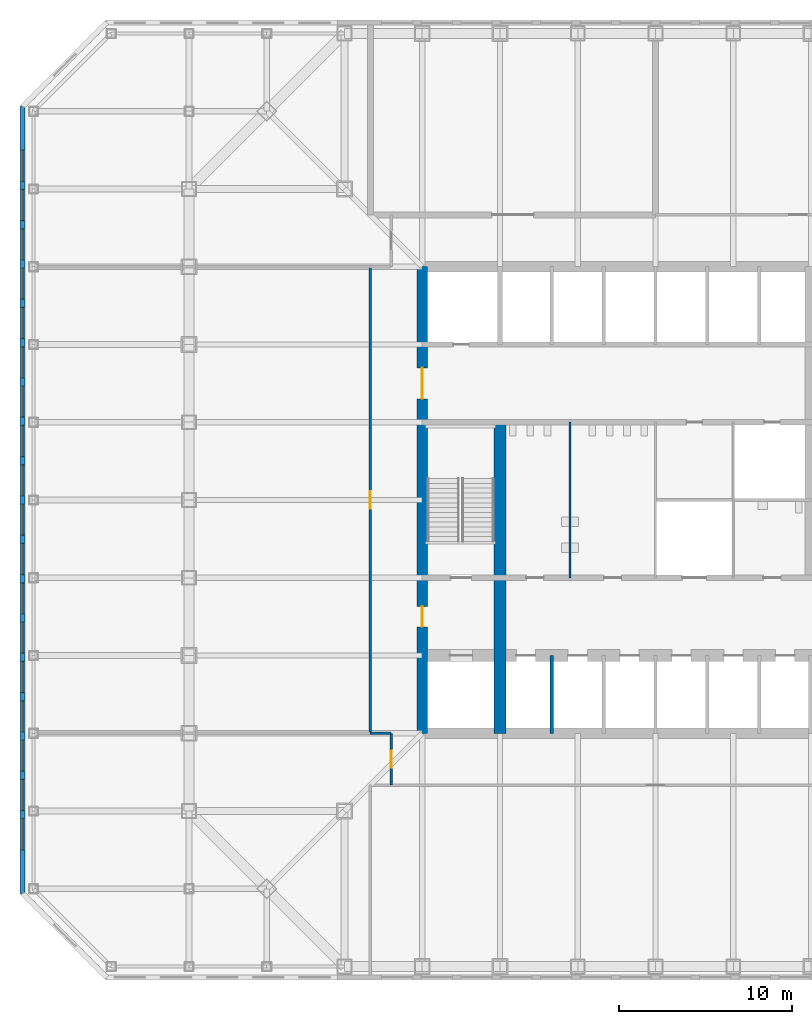
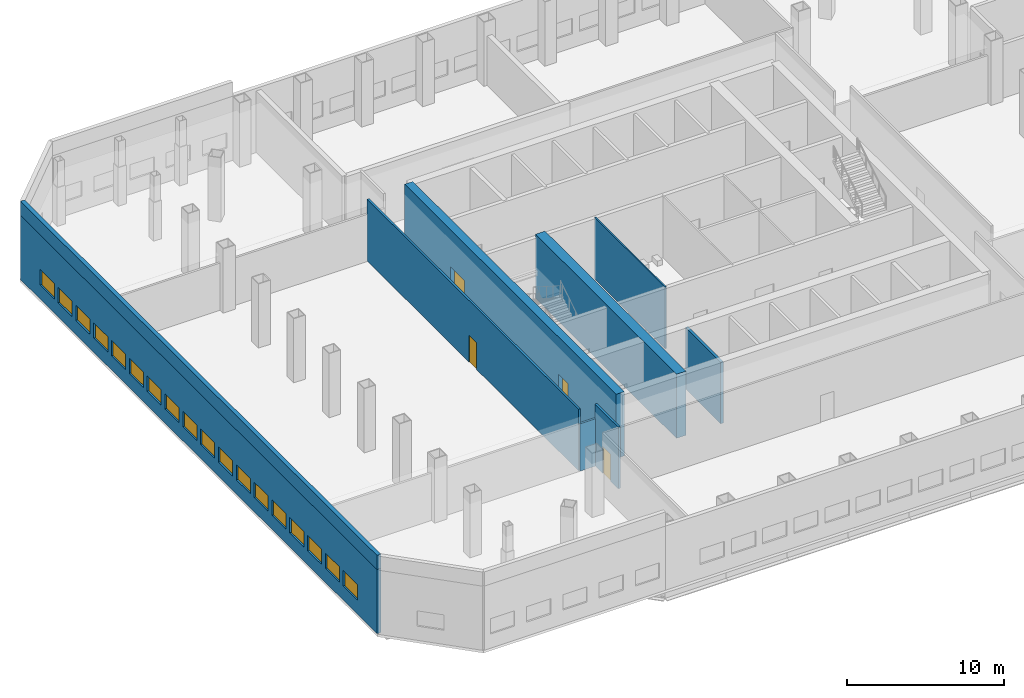
# One storey, part 6 of 14: 18 windows, 9 walls, 4 doors, 22 openings.
"""IFC4 building model written with IfcOpenShell, lengths in metres."""

from ifc_helpers import new_model, si_unit, direction, frame, frame_2d, origin, place, context, subcontext, project, spatial, rectangle, extrude, material, layer, layer_set, type_object, element, fill, save


model = new_model("IFC4")

# Units and contexts
model_context = context("Model", 3, precision=1e-05, world=origin(), true_north=direction((0.0, 1.0)))
body_context = subcontext(model_context, "Body", "Model", "MODEL_VIEW")
ifc_project = project(units=[si_unit("LENGTHUNIT", "METRE"), si_unit("AREAUNIT", "SQUARE_METRE"), si_unit("VOLUMEUNIT", "CUBIC_METRE"), si_unit("PLANEANGLEUNIT", "RADIAN"), si_unit("MASSUNIT", "GRAM", prefix="KILO")], contexts=[model_context])

# Site, building, storey
site_placement = place(None, origin())
site = spatial("IfcSite", under=ifc_project, at=site_placement, CompositionType="ELEMENT")
building_placement = place(site_placement, origin())
building = spatial("IfcBuilding", under=site, at=building_placement, Name="Corais Broadcast Tower", CompositionType="ELEMENT")
storey_placement = place(building_placement, frame((0.0, 0.0, 18.0)))
storey = spatial("IfcBuildingStorey", under=building, at=storey_placement, Name="L03", CompositionType="ELEMENT", Elevation=18.0)

# Wall
ifc_material_1 = material(Name="Concrete C50/60", Category="concrete")
ifc_layer_1 = layer(ifc_material_1, 0.699951171875)
ifc_layer_set_1 = layer_set([ifc_layer_1], Name="Concrete C50/60")
wall_type_1 = type_object("IfcWallType", Name="Core spine wall 700", PredefinedType="SHEAR", material=ifc_layer_set_1)
wall_1_placement = place(storey_placement, frame((18.0, 13.5, 0.0), z_axis=(0.0, 0.0, 1.0), x_axis=(0.0, 1.0, 0.0)))
element("IfcWall", 1, at=wall_1_placement, inside=storey, type_object=wall_type_1, Name="CR700 core wall X18A L03", PredefinedType="SHEAR", context=body_context, shape_type="SweptSolid", body=[
    extrude(rectangle(XDim=18.0, YDim=0.699951171875, at=frame_2d((9.0, 0.0))), origin(), (0.0, 0.0, 1.0), 5.0),
])

# Wall, openings, doors
ifc_material_2 = material(Name="Concrete C50/60", Category="concrete")
ifc_layer_2 = layer(ifc_material_2, 0.60009765625)
ifc_layer_set_2 = layer_set([ifc_layer_2], Name="Concrete C50/60")
wall_type_2 = type_object("IfcWallType", Name="Core wall 600", PredefinedType="SHEAR", material=ifc_layer_set_2)
wall_2_placement = place(storey_placement, frame((13.5, 40.5, 0.0), z_axis=(0.0, 0.0, 1.0), x_axis=(0.0, -1.0, 0.0)))
wall_2 = element("IfcWall", 2, at=wall_2_placement, inside=storey, type_object=wall_type_2, Name="CR600 core wall W L03", PredefinedType="SHEAR", context=body_context, shape_type="SweptSolid", body=[
    extrude(rectangle(XDim=27.0, YDim=0.60009765625, at=frame_2d((13.5, 0.0))), origin(), (0.0, 0.0, 1.0), 5.0),
])
opening_1_placement = place(wall_2_placement, frame((19.64990234375, 0.0, 0.0)))
opening_1 = element("IfcOpeningElement", 3, at=opening_1_placement, cuts=wall_2, Name="Opening FD1", PredefinedType="OPENING", context=body_context, shape_type="SweptSolid", body=[
    extrude(rectangle(XDim=1.199951171875, YDim=2.10009765625, at=frame_2d((0.60009765625, 1.050048828125))), frame((0.0, 0.31005859375, 0.0), z_axis=(0.0, -1.0, 0.0), x_axis=(1.0, 0.0, 0.0)), (0.0, 0.0, 1.0), 0.6201171875),
])
opening_2_placement = place(wall_2_placement, frame((5.85009765625, 0.0, 0.0)))
opening_2 = element("IfcOpeningElement", 4, at=opening_2_placement, cuts=wall_2, Name="Opening FD2", PredefinedType="OPENING", context=body_context, shape_type="SweptSolid", body=[
    extrude(rectangle(XDim=1.800048828125, YDim=2.10009765625, at=frame_2d((0.89990234375, 1.050048828125))), frame((0.0, 0.31005859375, 0.0), z_axis=(0.0, -1.0, 0.0), x_axis=(1.0, 0.0, 0.0)), (0.0, 0.0, 1.0), 0.6201171875),
])
ifc_material_3 = material(Name="Steel fire door", Category="steel")
door_type_1 = type_object("IfcDoorType", Name="Fire door 1200x2100", OperationType="SINGLE_SWING_LEFT", PredefinedType="DOOR", material=ifc_material_3)
door_1_placement = place(opening_1_placement, origin())
door_1 = element("IfcDoor", 5, at=door_1_placement, inside=storey, type_object=door_type_1, Name="FD1 fire lobby A door L03", OperationType="SINGLE_SWING_RIGHT", OverallHeight=2.10009765625, OverallWidth=1.199951171875, PredefinedType="DOOR", context=body_context, shape_type="SweptSolid", body=[
    extrude(rectangle(XDim=1.199951171875, YDim=2.10009765625, at=frame_2d((0.60009765625, 1.050048828125))), frame((0.0, 0.02490234375, 0.0), z_axis=(0.0, -1.0, 0.0), x_axis=(1.0, 0.0, 0.0)), (0.0, 0.0, 1.0), 0.050048828125),
])
fill(opening_1, door_1)
ifc_material_4 = material(Name="Steel fire door", Category="steel")
door_type_2 = type_object("IfcDoorType", Name="Fire door pair 1800x2100", OperationType="DOUBLE_DOOR_SINGLE_SWING", PredefinedType="DOOR", material=ifc_material_4)
door_2_placement = place(opening_2_placement, origin())
door_2 = element("IfcDoor", 6, at=door_2_placement, inside=storey, type_object=door_type_2, Name="FD2 lift lobby door L03", OperationType="SINGLE_SWING_LEFT", OverallHeight=2.10009765625, OverallWidth=1.800048828125, PredefinedType="DOOR", context=body_context, shape_type="SweptSolid", body=[
    extrude(rectangle(XDim=1.800048828125, YDim=2.10009765625, at=frame_2d((0.89990234375, 1.050048828125))), frame((0.0, 0.02490234375, 0.0), z_axis=(0.0, -1.0, 0.0), x_axis=(1.0, 0.0, 0.0)), (0.0, 0.0, 1.0), 0.050048828125),
])
fill(opening_2, door_2)

# Wall
ifc_material_5 = material(Name="Precast concrete C40/50", Category="concrete")
ifc_layer_3 = layer(ifc_material_5, 0.300048828125)
ifc_layer_set_3 = layer_set([ifc_layer_3], Name="Precast concrete C40/50")
wall_type_3 = type_object("IfcWallType", Name="Parapet wall 300", PredefinedType="PARAPET", material=ifc_layer_set_3)
wall_3_placement = place(storey_placement, frame((-9.6298828125, 4.239013671875, 5.0), z_axis=(0.0, 0.0, 1.0), x_axis=(0.0, 1.0, 0.0)))
element("IfcWall", 7, at=wall_3_placement, inside=storey, type_object=wall_type_3, Name="PW1 parapet L03", PredefinedType="PARAPET", context=body_context, shape_type="SweptSolid", body=[
    extrude(rectangle(XDim=45.52197265625, YDim=0.300048828125, at=frame_2d((22.760986328125, 0.0))), origin(), (0.0, 0.0, 1.0), 1.10009765625),
])

# Wall, opening, door
ifc_material_6 = material(Name="Gypsum board on steel studs", Category="steel")
ifc_layer_4 = layer(ifc_material_6, 0.14990234375)
ifc_layer_set_4 = layer_set([ifc_layer_4], Name="Gypsum board on steel studs")
wall_type_4 = type_object("IfcWallType", Name="Partition 150", PredefinedType="PARTITIONING", material=ifc_layer_set_4)
wall_4_placement = place(storey_placement, frame((11.699951171875, 13.5, 0.0), z_axis=(0.0, 0.0, 1.0), x_axis=(0.0, -1.0, 0.0)))
wall_4 = element("IfcWall", 8, at=wall_4_placement, inside=storey, type_object=wall_type_4, Name="IW3 corridor wall L03", PredefinedType="PARTITIONING", context=body_context, shape_type="SweptSolid", body=[
    extrude(rectangle(XDim=3.0, YDim=0.14990234375, at=frame_2d((1.5, 0.0))), origin(), (0.0, 0.0, 1.0), 4.800048828125),
])
opening_3_placement = place(wall_4_placement, frame((1.0, 0.0, 0.0)))
opening_3 = element("IfcOpeningElement", 9, at=opening_3_placement, cuts=wall_4, Name="Opening D1", PredefinedType="OPENING", context=body_context, shape_type="SweptSolid", body=[
    extrude(rectangle(XDim=1.0, YDim=2.10009765625, at=frame_2d((0.5, 1.050048828125))), frame((0.0, 0.0849609375, 0.0), z_axis=(0.0, -1.0, 0.0), x_axis=(1.0, 0.0, 0.0)), (0.0, 0.0, 1.0), 0.169921875),
])
ifc_material_7 = material(Name="Timber door", Category="wood")
door_type_3 = type_object("IfcDoorType", Name="Single door 1000x2100", OperationType="SINGLE_SWING_LEFT", PredefinedType="DOOR", material=ifc_material_7)
door_3_placement = place(opening_3_placement, origin())
door_3 = element("IfcDoor", 10, at=door_3_placement, inside=storey, type_object=door_type_3, Name="D1 workplace door L03", OperationType="SINGLE_SWING_LEFT", OverallHeight=2.10009765625, OverallWidth=1.0, PredefinedType="DOOR", context=body_context, shape_type="SweptSolid", body=[
    extrude(rectangle(XDim=1.0, YDim=2.10009765625, at=frame_2d((0.5, 1.050048828125))), frame((0.0, 0.02490234375, 0.0), z_axis=(0.0, -1.0, 0.0), x_axis=(1.0, 0.0, 0.0)), (0.0, 0.0, 1.0), 0.050048828125),
])
fill(opening_3, door_3)

# Wall
wall_5_placement = place(storey_placement, frame((10.489990234375, 13.5, 0.0), z_axis=(0.0, 0.0, 1.0), x_axis=(1.0, 0.0, 0.0)))
element("IfcWall", 11, at=wall_5_placement, inside=storey, type_object=wall_type_4, Name="IW3 corridor wall L03", PredefinedType="PARTITIONING", context=body_context, shape_type="SweptSolid", body=[
    extrude(rectangle(XDim=1.2099609375, YDim=0.14990234375, at=frame_2d((0.60498046875, 0.0))), origin(), (0.0, 0.0, 1.0), 3.681884765625),
])

# Wall, opening, door
wall_6_placement = place(storey_placement, frame((10.5, 13.5, 0.0), z_axis=(0.0, 0.0, 1.0), x_axis=(0.0, 1.0, 0.0)))
wall_6 = element("IfcWall", 12, at=wall_6_placement, inside=storey, type_object=wall_type_4, Name="IW3 partition L03", PredefinedType="PARTITIONING", context=body_context, shape_type="SweptSolid", body=[
    extrude(rectangle(XDim=27.0, YDim=0.14990234375, at=frame_2d((13.5, 0.0))), origin(), (0.0, 0.0, 1.0), 4.800048828125),
])
opening_4_placement = place(wall_6_placement, frame((13.0, 0.0, 0.0)))
opening_4 = element("IfcOpeningElement", 13, at=opening_4_placement, cuts=wall_6, Name="Opening D1", PredefinedType="OPENING", context=body_context, shape_type="SweptSolid", body=[
    extrude(rectangle(XDim=1.0, YDim=2.10009765625, at=frame_2d((0.5, 1.050048828125))), frame((0.0, 0.0849609375, 0.0), z_axis=(0.0, -1.0, 0.0), x_axis=(1.0, 0.0, 0.0)), (0.0, 0.0, 1.0), 0.169921875),
])
door_4_placement = place(opening_4_placement, origin())
door_4 = element("IfcDoor", 14, at=door_4_placement, inside=storey, type_object=door_type_3, Name="D1 Edit suites door", OperationType="SINGLE_SWING_LEFT", OverallHeight=2.10009765625, OverallWidth=1.0, PredefinedType="DOOR", context=body_context, shape_type="SweptSolid", body=[
    extrude(rectangle(XDim=1.0, YDim=2.10009765625, at=frame_2d((0.5, 1.050048828125))), frame((0.0, 0.02490234375, 0.0), z_axis=(0.0, -1.0, 0.0), x_axis=(1.0, 0.0, 0.0)), (0.0, 0.0, 1.0), 0.050048828125),
])
fill(opening_4, door_4)

# Wall
ifc_material_8 = material(Name="Concrete blockwork class A, grouted, two-hour", Category="masonry")
ifc_layer_5 = layer(ifc_material_8, 0.199951171875)
ifc_layer_set_5 = layer_set([ifc_layer_5], Name="Concrete blockwork class A, grouted, two-hour")
wall_type_5 = type_object("IfcWallType", Name="Shaft wall 200", PredefinedType="PARTITIONING", material=ifc_layer_set_5)
wall_7_placement = place(storey_placement, frame((21.0, 13.5, 0.0), z_axis=(0.0, 0.0, 1.0), x_axis=(0.0, 1.0, 0.0)))
element("IfcWall", 15, at=wall_7_placement, inside=storey, type_object=wall_type_5, Name="IW1 shaft wall L03", PredefinedType="PARTITIONING", context=body_context, shape_type="SweptSolid", body=[
    extrude(rectangle(XDim=4.5, YDim=0.199951171875, at=frame_2d((2.25, 0.0))), origin(), (0.0, 0.0, 1.0), 4.800048828125),
])

# Wall, openings, windows
ifc_material_9 = material(Name="Precast concrete C40/50", Category="concrete")
ifc_layer_6 = layer(ifc_material_9, 0.300048828125)
ifc_layer_set_6 = layer_set([ifc_layer_6], Name="Precast concrete C40/50")
wall_type_6 = type_object("IfcWallType", Name="Stone-faced precast wall 300", PredefinedType="SOLIDWALL", material=ifc_layer_set_6)
wall_8_placement = place(storey_placement, frame((-9.6298828125, 4.239013671875, 0.0), z_axis=(0.0, 0.0, 1.0), x_axis=(0.0, 1.0, 0.0)))
wall_8 = element("IfcWall", 16, at=wall_8_placement, inside=storey, type_object=wall_type_6, Name="EW1 external wall L03 2", PredefinedType="SOLIDWALL", context=body_context, shape_type="SweptSolid", body=[
    extrude(rectangle(XDim=45.52197265625, YDim=0.300048828125, at=frame_2d((22.760986328125, 0.0))), origin(), (0.0, 0.0, 1.0), 5.0),
])
opening_5_placement = place(wall_8_placement, frame((2.51416015625, 0.0, 1.10009765625)))
opening_5 = element("IfcOpeningElement", 17, at=opening_5_placement, cuts=wall_8, Name="Opening W1", PredefinedType="OPENING", context=body_context, shape_type="SweptSolid", body=[
    extrude(rectangle(XDim=1.800048828125, YDim=1.199951171875, at=frame_2d((0.89990234375, 0.60009765625))), frame((0.0, 0.159912109375, 0.0), z_axis=(0.0, -1.0, 0.0), x_axis=(1.0, 0.0, 0.0)), (0.0, 0.0, 1.0), 0.320068359375),
])
opening_6_placement = place(wall_8_placement, frame((4.790283203125, 0.0, 1.10009765625)))
opening_6 = element("IfcOpeningElement", 18, at=opening_6_placement, cuts=wall_8, Name="Opening W1", PredefinedType="OPENING", context=body_context, shape_type="SweptSolid", body=[
    extrude(rectangle(XDim=1.800048828125, YDim=1.199951171875, at=frame_2d((0.89990234375, 0.60009765625))), frame((0.0, 0.159912109375, 0.0), z_axis=(0.0, -1.0, 0.0), x_axis=(1.0, 0.0, 0.0)), (0.0, 0.0, 1.0), 0.320068359375),
])
opening_7_placement = place(wall_8_placement, frame((7.06640625, 0.0, 1.10009765625)))
opening_7 = element("IfcOpeningElement", 19, at=opening_7_placement, cuts=wall_8, Name="Opening W1", PredefinedType="OPENING", context=body_context, shape_type="SweptSolid", body=[
    extrude(rectangle(XDim=1.800048828125, YDim=1.199951171875, at=frame_2d((0.89990234375, 0.60009765625))), frame((0.0, 0.159912109375, 0.0), z_axis=(0.0, -1.0, 0.0), x_axis=(1.0, 0.0, 0.0)), (0.0, 0.0, 1.0), 0.320068359375),
])
opening_8_placement = place(wall_8_placement, frame((9.342529296875, 0.0, 1.10009765625)))
opening_8 = element("IfcOpeningElement", 20, at=opening_8_placement, cuts=wall_8, Name="Opening W1", PredefinedType="OPENING", context=body_context, shape_type="SweptSolid", body=[
    extrude(rectangle(XDim=1.800048828125, YDim=1.199951171875, at=frame_2d((0.89990234375, 0.60009765625))), frame((0.0, 0.159912109375, 0.0), z_axis=(0.0, -1.0, 0.0), x_axis=(1.0, 0.0, 0.0)), (0.0, 0.0, 1.0), 0.320068359375),
])
opening_9_placement = place(wall_8_placement, frame((11.61865234375, 0.0, 1.10009765625)))
opening_9 = element("IfcOpeningElement", 21, at=opening_9_placement, cuts=wall_8, Name="Opening W1", PredefinedType="OPENING", context=body_context, shape_type="SweptSolid", body=[
    extrude(rectangle(XDim=1.800048828125, YDim=1.199951171875, at=frame_2d((0.89990234375, 0.60009765625))), frame((0.0, 0.159912109375, 0.0), z_axis=(0.0, -1.0, 0.0), x_axis=(1.0, 0.0, 0.0)), (0.0, 0.0, 1.0), 0.320068359375),
])
opening_10_placement = place(wall_8_placement, frame((13.89453125, 0.0, 1.10009765625)))
opening_10 = element("IfcOpeningElement", 22, at=opening_10_placement, cuts=wall_8, Name="Opening W1", PredefinedType="OPENING", context=body_context, shape_type="SweptSolid", body=[
    extrude(rectangle(XDim=1.800048828125, YDim=1.199951171875, at=frame_2d((0.89990234375, 0.60009765625))), frame((0.0, 0.159912109375, 0.0), z_axis=(0.0, -1.0, 0.0), x_axis=(1.0, 0.0, 0.0)), (0.0, 0.0, 1.0), 0.320068359375),
])
opening_11_placement = place(wall_8_placement, frame((16.170654296875, 0.0, 1.10009765625)))
opening_11 = element("IfcOpeningElement", 23, at=opening_11_placement, cuts=wall_8, Name="Opening W1", PredefinedType="OPENING", context=body_context, shape_type="SweptSolid", body=[
    extrude(rectangle(XDim=1.800048828125, YDim=1.199951171875, at=frame_2d((0.89990234375, 0.60009765625))), frame((0.0, 0.159912109375, 0.0), z_axis=(0.0, -1.0, 0.0), x_axis=(1.0, 0.0, 0.0)), (0.0, 0.0, 1.0), 0.320068359375),
])
opening_12_placement = place(wall_8_placement, frame((18.44677734375, 0.0, 1.10009765625)))
opening_12 = element("IfcOpeningElement", 24, at=opening_12_placement, cuts=wall_8, Name="Opening W1", PredefinedType="OPENING", context=body_context, shape_type="SweptSolid", body=[
    extrude(rectangle(XDim=1.800048828125, YDim=1.199951171875, at=frame_2d((0.89990234375, 0.60009765625))), frame((0.0, 0.159912109375, 0.0), z_axis=(0.0, -1.0, 0.0), x_axis=(1.0, 0.0, 0.0)), (0.0, 0.0, 1.0), 0.320068359375),
])
opening_13_placement = place(wall_8_placement, frame((20.722900390625, 0.0, 1.10009765625)))
opening_13 = element("IfcOpeningElement", 25, at=opening_13_placement, cuts=wall_8, Name="Opening W1", PredefinedType="OPENING", context=body_context, shape_type="SweptSolid", body=[
    extrude(rectangle(XDim=1.800048828125, YDim=1.199951171875, at=frame_2d((0.89990234375, 0.60009765625))), frame((0.0, 0.159912109375, 0.0), z_axis=(0.0, -1.0, 0.0), x_axis=(1.0, 0.0, 0.0)), (0.0, 0.0, 1.0), 0.320068359375),
])
opening_14_placement = place(wall_8_placement, frame((22.9990234375, 0.0, 1.10009765625)))
opening_14 = element("IfcOpeningElement", 26, at=opening_14_placement, cuts=wall_8, Name="Opening W1", PredefinedType="OPENING", context=body_context, shape_type="SweptSolid", body=[
    extrude(rectangle(XDim=1.800048828125, YDim=1.199951171875, at=frame_2d((0.89990234375, 0.60009765625))), frame((0.0, 0.159912109375, 0.0), z_axis=(0.0, -1.0, 0.0), x_axis=(1.0, 0.0, 0.0)), (0.0, 0.0, 1.0), 0.320068359375),
])
opening_15_placement = place(wall_8_placement, frame((25.275146484375, 0.0, 1.10009765625)))
opening_15 = element("IfcOpeningElement", 27, at=opening_15_placement, cuts=wall_8, Name="Opening W1", PredefinedType="OPENING", context=body_context, shape_type="SweptSolid", body=[
    extrude(rectangle(XDim=1.800048828125, YDim=1.199951171875, at=frame_2d((0.89990234375, 0.60009765625))), frame((0.0, 0.159912109375, 0.0), z_axis=(0.0, -1.0, 0.0), x_axis=(1.0, 0.0, 0.0)), (0.0, 0.0, 1.0), 0.320068359375),
])
opening_16_placement = place(wall_8_placement, frame((27.55126953125, 0.0, 1.10009765625)))
opening_16 = element("IfcOpeningElement", 28, at=opening_16_placement, cuts=wall_8, Name="Opening W1", PredefinedType="OPENING", context=body_context, shape_type="SweptSolid", body=[
    extrude(rectangle(XDim=1.800048828125, YDim=1.199951171875, at=frame_2d((0.89990234375, 0.60009765625))), frame((0.0, 0.159912109375, 0.0), z_axis=(0.0, -1.0, 0.0), x_axis=(1.0, 0.0, 0.0)), (0.0, 0.0, 1.0), 0.320068359375),
])
opening_17_placement = place(wall_8_placement, frame((29.827392578125, 0.0, 1.10009765625)))
opening_17 = element("IfcOpeningElement", 29, at=opening_17_placement, cuts=wall_8, Name="Opening W1", PredefinedType="OPENING", context=body_context, shape_type="SweptSolid", body=[
    extrude(rectangle(XDim=1.800048828125, YDim=1.199951171875, at=frame_2d((0.89990234375, 0.60009765625))), frame((0.0, 0.159912109375, 0.0), z_axis=(0.0, -1.0, 0.0), x_axis=(1.0, 0.0, 0.0)), (0.0, 0.0, 1.0), 0.320068359375),
])
opening_18_placement = place(wall_8_placement, frame((32.103515625, 0.0, 1.10009765625)))
opening_18 = element("IfcOpeningElement", 30, at=opening_18_placement, cuts=wall_8, Name="Opening W1", PredefinedType="OPENING", context=body_context, shape_type="SweptSolid", body=[
    extrude(rectangle(XDim=1.800048828125, YDim=1.199951171875, at=frame_2d((0.89990234375, 0.60009765625))), frame((0.0, 0.159912109375, 0.0), z_axis=(0.0, -1.0, 0.0), x_axis=(1.0, 0.0, 0.0)), (0.0, 0.0, 1.0), 0.320068359375),
])
opening_19_placement = place(wall_8_placement, frame((34.379638671875, 0.0, 1.10009765625)))
opening_19 = element("IfcOpeningElement", 31, at=opening_19_placement, cuts=wall_8, Name="Opening W1", PredefinedType="OPENING", context=body_context, shape_type="SweptSolid", body=[
    extrude(rectangle(XDim=1.800048828125, YDim=1.199951171875, at=frame_2d((0.89990234375, 0.60009765625))), frame((0.0, 0.159912109375, 0.0), z_axis=(0.0, -1.0, 0.0), x_axis=(1.0, 0.0, 0.0)), (0.0, 0.0, 1.0), 0.320068359375),
])
opening_20_placement = place(wall_8_placement, frame((36.65576171875, 0.0, 1.10009765625)))
opening_20 = element("IfcOpeningElement", 32, at=opening_20_placement, cuts=wall_8, Name="Opening W1", PredefinedType="OPENING", context=body_context, shape_type="SweptSolid", body=[
    extrude(rectangle(XDim=1.800048828125, YDim=1.199951171875, at=frame_2d((0.89990234375, 0.60009765625))), frame((0.0, 0.159912109375, 0.0), z_axis=(0.0, -1.0, 0.0), x_axis=(1.0, 0.0, 0.0)), (0.0, 0.0, 1.0), 0.320068359375),
])
opening_21_placement = place(wall_8_placement, frame((38.931640625, 0.0, 1.10009765625)))
opening_21 = element("IfcOpeningElement", 33, at=opening_21_placement, cuts=wall_8, Name="Opening W1", PredefinedType="OPENING", context=body_context, shape_type="SweptSolid", body=[
    extrude(rectangle(XDim=1.800048828125, YDim=1.199951171875, at=frame_2d((0.89990234375, 0.60009765625))), frame((0.0, 0.159912109375, 0.0), z_axis=(0.0, -1.0, 0.0), x_axis=(1.0, 0.0, 0.0)), (0.0, 0.0, 1.0), 0.320068359375),
])
opening_22_placement = place(wall_8_placement, frame((41.207763671875, 0.0, 1.10009765625)))
opening_22 = element("IfcOpeningElement", 34, at=opening_22_placement, cuts=wall_8, Name="Opening W1", PredefinedType="OPENING", context=body_context, shape_type="SweptSolid", body=[
    extrude(rectangle(XDim=1.800048828125, YDim=1.199951171875, at=frame_2d((0.89990234375, 0.60009765625))), frame((0.0, 0.159912109375, 0.0), z_axis=(0.0, -1.0, 0.0), x_axis=(1.0, 0.0, 0.0)), (0.0, 0.0, 1.0), 0.320068359375),
])
ifc_material_10 = material(Name="Aluminium frame", Category="aluminium")
window_type = type_object("IfcWindowType", Name="Fixed window 1800x1200", PartitioningType="SINGLE_PANEL", PredefinedType="WINDOW", material=ifc_material_10)
window_1_placement = place(opening_5_placement, origin())
window_1 = element("IfcWindow", 35, at=window_1_placement, inside=storey, type_object=window_type, Name="W1 window L03", OverallHeight=1.199951171875, OverallWidth=1.800048828125, PartitioningType="SINGLE_PANEL", PredefinedType="WINDOW", context=body_context, shape_type="SweptSolid", body=[
    extrude(rectangle(XDim=1.800048828125, YDim=1.199951171875, at=frame_2d((0.89990234375, 0.60009765625))), frame((0.0, 0.030029296875, 0.0), z_axis=(0.0, -1.0, 0.0), x_axis=(1.0, 0.0, 0.0)), (0.0, 0.0, 1.0), 0.06005859375),
])
fill(opening_5, window_1)
window_2_placement = place(opening_6_placement, origin())
window_2 = element("IfcWindow", 36, at=window_2_placement, inside=storey, type_object=window_type, Name="W1 window L03", OverallHeight=1.199951171875, OverallWidth=1.800048828125, PartitioningType="SINGLE_PANEL", PredefinedType="WINDOW", context=body_context, shape_type="SweptSolid", body=[
    extrude(rectangle(XDim=1.800048828125, YDim=1.199951171875, at=frame_2d((0.89990234375, 0.60009765625))), frame((0.0, 0.030029296875, 0.0), z_axis=(0.0, -1.0, 0.0), x_axis=(1.0, 0.0, 0.0)), (0.0, 0.0, 1.0), 0.06005859375),
])
fill(opening_6, window_2)
window_3_placement = place(opening_7_placement, origin())
window_3 = element("IfcWindow", 37, at=window_3_placement, inside=storey, type_object=window_type, Name="W1 window L03", OverallHeight=1.199951171875, OverallWidth=1.800048828125, PartitioningType="SINGLE_PANEL", PredefinedType="WINDOW", context=body_context, shape_type="SweptSolid", body=[
    extrude(rectangle(XDim=1.800048828125, YDim=1.199951171875, at=frame_2d((0.89990234375, 0.60009765625))), frame((0.0, 0.030029296875, 0.0), z_axis=(0.0, -1.0, 0.0), x_axis=(1.0, 0.0, 0.0)), (0.0, 0.0, 1.0), 0.06005859375),
])
fill(opening_7, window_3)
window_4_placement = place(opening_8_placement, origin())
window_4 = element("IfcWindow", 38, at=window_4_placement, inside=storey, type_object=window_type, Name="W1 window L03", OverallHeight=1.199951171875, OverallWidth=1.800048828125, PartitioningType="SINGLE_PANEL", PredefinedType="WINDOW", context=body_context, shape_type="SweptSolid", body=[
    extrude(rectangle(XDim=1.800048828125, YDim=1.199951171875, at=frame_2d((0.89990234375, 0.60009765625))), frame((0.0, 0.030029296875, 0.0), z_axis=(0.0, -1.0, 0.0), x_axis=(1.0, 0.0, 0.0)), (0.0, 0.0, 1.0), 0.06005859375),
])
fill(opening_8, window_4)
window_5_placement = place(opening_9_placement, origin())
window_5 = element("IfcWindow", 39, at=window_5_placement, inside=storey, type_object=window_type, Name="W1 window L03", OverallHeight=1.199951171875, OverallWidth=1.800048828125, PartitioningType="SINGLE_PANEL", PredefinedType="WINDOW", context=body_context, shape_type="SweptSolid", body=[
    extrude(rectangle(XDim=1.800048828125, YDim=1.199951171875, at=frame_2d((0.89990234375, 0.60009765625))), frame((0.0, 0.030029296875, 0.0), z_axis=(0.0, -1.0, 0.0), x_axis=(1.0, 0.0, 0.0)), (0.0, 0.0, 1.0), 0.06005859375),
])
fill(opening_9, window_5)
window_6_placement = place(opening_10_placement, origin())
window_6 = element("IfcWindow", 40, at=window_6_placement, inside=storey, type_object=window_type, Name="W1 window L03", OverallHeight=1.199951171875, OverallWidth=1.800048828125, PartitioningType="SINGLE_PANEL", PredefinedType="WINDOW", context=body_context, shape_type="SweptSolid", body=[
    extrude(rectangle(XDim=1.800048828125, YDim=1.199951171875, at=frame_2d((0.89990234375, 0.60009765625))), frame((0.0, 0.030029296875, 0.0), z_axis=(0.0, -1.0, 0.0), x_axis=(1.0, 0.0, 0.0)), (0.0, 0.0, 1.0), 0.06005859375),
])
fill(opening_10, window_6)
window_7_placement = place(opening_11_placement, origin())
window_7 = element("IfcWindow", 41, at=window_7_placement, inside=storey, type_object=window_type, Name="W1 window L03", OverallHeight=1.199951171875, OverallWidth=1.800048828125, PartitioningType="SINGLE_PANEL", PredefinedType="WINDOW", context=body_context, shape_type="SweptSolid", body=[
    extrude(rectangle(XDim=1.800048828125, YDim=1.199951171875, at=frame_2d((0.89990234375, 0.60009765625))), frame((0.0, 0.030029296875, 0.0), z_axis=(0.0, -1.0, 0.0), x_axis=(1.0, 0.0, 0.0)), (0.0, 0.0, 1.0), 0.06005859375),
])
fill(opening_11, window_7)
window_8_placement = place(opening_12_placement, origin())
window_8 = element("IfcWindow", 42, at=window_8_placement, inside=storey, type_object=window_type, Name="W1 window L03", OverallHeight=1.199951171875, OverallWidth=1.800048828125, PartitioningType="SINGLE_PANEL", PredefinedType="WINDOW", context=body_context, shape_type="SweptSolid", body=[
    extrude(rectangle(XDim=1.800048828125, YDim=1.199951171875, at=frame_2d((0.89990234375, 0.60009765625))), frame((0.0, 0.030029296875, 0.0), z_axis=(0.0, -1.0, 0.0), x_axis=(1.0, 0.0, 0.0)), (0.0, 0.0, 1.0), 0.06005859375),
])
fill(opening_12, window_8)
window_9_placement = place(opening_13_placement, origin())
window_9 = element("IfcWindow", 43, at=window_9_placement, inside=storey, type_object=window_type, Name="W1 window L03", OverallHeight=1.199951171875, OverallWidth=1.800048828125, PartitioningType="SINGLE_PANEL", PredefinedType="WINDOW", context=body_context, shape_type="SweptSolid", body=[
    extrude(rectangle(XDim=1.800048828125, YDim=1.199951171875, at=frame_2d((0.89990234375, 0.60009765625))), frame((0.0, 0.030029296875, 0.0), z_axis=(0.0, -1.0, 0.0), x_axis=(1.0, 0.0, 0.0)), (0.0, 0.0, 1.0), 0.06005859375),
])
fill(opening_13, window_9)
window_10_placement = place(opening_14_placement, origin())
window_10 = element("IfcWindow", 44, at=window_10_placement, inside=storey, type_object=window_type, Name="W1 window L03", OverallHeight=1.199951171875, OverallWidth=1.800048828125, PartitioningType="SINGLE_PANEL", PredefinedType="WINDOW", context=body_context, shape_type="SweptSolid", body=[
    extrude(rectangle(XDim=1.800048828125, YDim=1.199951171875, at=frame_2d((0.89990234375, 0.60009765625))), frame((0.0, 0.030029296875, 0.0), z_axis=(0.0, -1.0, 0.0), x_axis=(1.0, 0.0, 0.0)), (0.0, 0.0, 1.0), 0.06005859375),
])
fill(opening_14, window_10)
window_11_placement = place(opening_15_placement, origin())
window_11 = element("IfcWindow", 45, at=window_11_placement, inside=storey, type_object=window_type, Name="W1 window L03", OverallHeight=1.199951171875, OverallWidth=1.800048828125, PartitioningType="SINGLE_PANEL", PredefinedType="WINDOW", context=body_context, shape_type="SweptSolid", body=[
    extrude(rectangle(XDim=1.800048828125, YDim=1.199951171875, at=frame_2d((0.89990234375, 0.60009765625))), frame((0.0, 0.030029296875, 0.0), z_axis=(0.0, -1.0, 0.0), x_axis=(1.0, 0.0, 0.0)), (0.0, 0.0, 1.0), 0.06005859375),
])
fill(opening_15, window_11)
window_12_placement = place(opening_16_placement, origin())
window_12 = element("IfcWindow", 46, at=window_12_placement, inside=storey, type_object=window_type, Name="W1 window L03", OverallHeight=1.199951171875, OverallWidth=1.800048828125, PartitioningType="SINGLE_PANEL", PredefinedType="WINDOW", context=body_context, shape_type="SweptSolid", body=[
    extrude(rectangle(XDim=1.800048828125, YDim=1.199951171875, at=frame_2d((0.89990234375, 0.60009765625))), frame((0.0, 0.030029296875, 0.0), z_axis=(0.0, -1.0, 0.0), x_axis=(1.0, 0.0, 0.0)), (0.0, 0.0, 1.0), 0.06005859375),
])
fill(opening_16, window_12)
window_13_placement = place(opening_17_placement, origin())
window_13 = element("IfcWindow", 47, at=window_13_placement, inside=storey, type_object=window_type, Name="W1 window L03", OverallHeight=1.199951171875, OverallWidth=1.800048828125, PartitioningType="SINGLE_PANEL", PredefinedType="WINDOW", context=body_context, shape_type="SweptSolid", body=[
    extrude(rectangle(XDim=1.800048828125, YDim=1.199951171875, at=frame_2d((0.89990234375, 0.60009765625))), frame((0.0, 0.030029296875, 0.0), z_axis=(0.0, -1.0, 0.0), x_axis=(1.0, 0.0, 0.0)), (0.0, 0.0, 1.0), 0.06005859375),
])
fill(opening_17, window_13)
window_14_placement = place(opening_18_placement, origin())
window_14 = element("IfcWindow", 48, at=window_14_placement, inside=storey, type_object=window_type, Name="W1 window L03", OverallHeight=1.199951171875, OverallWidth=1.800048828125, PartitioningType="SINGLE_PANEL", PredefinedType="WINDOW", context=body_context, shape_type="SweptSolid", body=[
    extrude(rectangle(XDim=1.800048828125, YDim=1.199951171875, at=frame_2d((0.89990234375, 0.60009765625))), frame((0.0, 0.030029296875, 0.0), z_axis=(0.0, -1.0, 0.0), x_axis=(1.0, 0.0, 0.0)), (0.0, 0.0, 1.0), 0.06005859375),
])
fill(opening_18, window_14)
window_15_placement = place(opening_19_placement, origin())
window_15 = element("IfcWindow", 49, at=window_15_placement, inside=storey, type_object=window_type, Name="W1 window L03", OverallHeight=1.199951171875, OverallWidth=1.800048828125, PartitioningType="SINGLE_PANEL", PredefinedType="WINDOW", context=body_context, shape_type="SweptSolid", body=[
    extrude(rectangle(XDim=1.800048828125, YDim=1.199951171875, at=frame_2d((0.89990234375, 0.60009765625))), frame((0.0, 0.030029296875, 0.0), z_axis=(0.0, -1.0, 0.0), x_axis=(1.0, 0.0, 0.0)), (0.0, 0.0, 1.0), 0.06005859375),
])
fill(opening_19, window_15)
window_16_placement = place(opening_20_placement, origin())
window_16 = element("IfcWindow", 50, at=window_16_placement, inside=storey, type_object=window_type, Name="W1 window L03", OverallHeight=1.199951171875, OverallWidth=1.800048828125, PartitioningType="SINGLE_PANEL", PredefinedType="WINDOW", context=body_context, shape_type="SweptSolid", body=[
    extrude(rectangle(XDim=1.800048828125, YDim=1.199951171875, at=frame_2d((0.89990234375, 0.60009765625))), frame((0.0, 0.030029296875, 0.0), z_axis=(0.0, -1.0, 0.0), x_axis=(1.0, 0.0, 0.0)), (0.0, 0.0, 1.0), 0.06005859375),
])
fill(opening_20, window_16)
window_17_placement = place(opening_21_placement, origin())
window_17 = element("IfcWindow", 51, at=window_17_placement, inside=storey, type_object=window_type, Name="W1 window L03", OverallHeight=1.199951171875, OverallWidth=1.800048828125, PartitioningType="SINGLE_PANEL", PredefinedType="WINDOW", context=body_context, shape_type="SweptSolid", body=[
    extrude(rectangle(XDim=1.800048828125, YDim=1.199951171875, at=frame_2d((0.89990234375, 0.60009765625))), frame((0.0, 0.030029296875, 0.0), z_axis=(0.0, -1.0, 0.0), x_axis=(1.0, 0.0, 0.0)), (0.0, 0.0, 1.0), 0.06005859375),
])
fill(opening_21, window_17)
window_18_placement = place(opening_22_placement, origin())
window_18 = element("IfcWindow", 52, at=window_18_placement, inside=storey, type_object=window_type, Name="W1 window L03", OverallHeight=1.199951171875, OverallWidth=1.800048828125, PartitioningType="SINGLE_PANEL", PredefinedType="WINDOW", context=body_context, shape_type="SweptSolid", body=[
    extrude(rectangle(XDim=1.800048828125, YDim=1.199951171875, at=frame_2d((0.89990234375, 0.60009765625))), frame((0.0, 0.030029296875, 0.0), z_axis=(0.0, -1.0, 0.0), x_axis=(1.0, 0.0, 0.0)), (0.0, 0.0, 1.0), 0.06005859375),
])
fill(opening_22, window_18)

# Wall
ifc_material_11 = material(Name="Dense concrete blockwork class A, tiled both faces", Category="masonry")
ifc_layer_7 = layer(ifc_material_11, 0.10009765625)
ifc_layer_set_7 = layer_set([ifc_layer_7], Name="Dense concrete blockwork class A, tiled both faces")
wall_type_7 = type_object("IfcWallType", Name="Toilet wall 100", PredefinedType="PLUMBINGWALL", material=ifc_layer_set_7)
wall_9_placement = place(storey_placement, frame((22.050048828125, 22.5, 0.0), z_axis=(0.0, 0.0, 1.0), x_axis=(0.0, 1.0, 0.0)))
element("IfcWall", 53, at=wall_9_placement, inside=storey, type_object=wall_type_7, Name="IW2 toilet wall L03", PredefinedType="PLUMBINGWALL", context=body_context, shape_type="SweptSolid", body=[
    extrude(rectangle(XDim=9.0, YDim=0.10009765625, at=frame_2d((4.5, 0.0))), origin(), (0.0, 0.0, 1.0), 4.800048828125),
])

save(model, "model.ifc")
